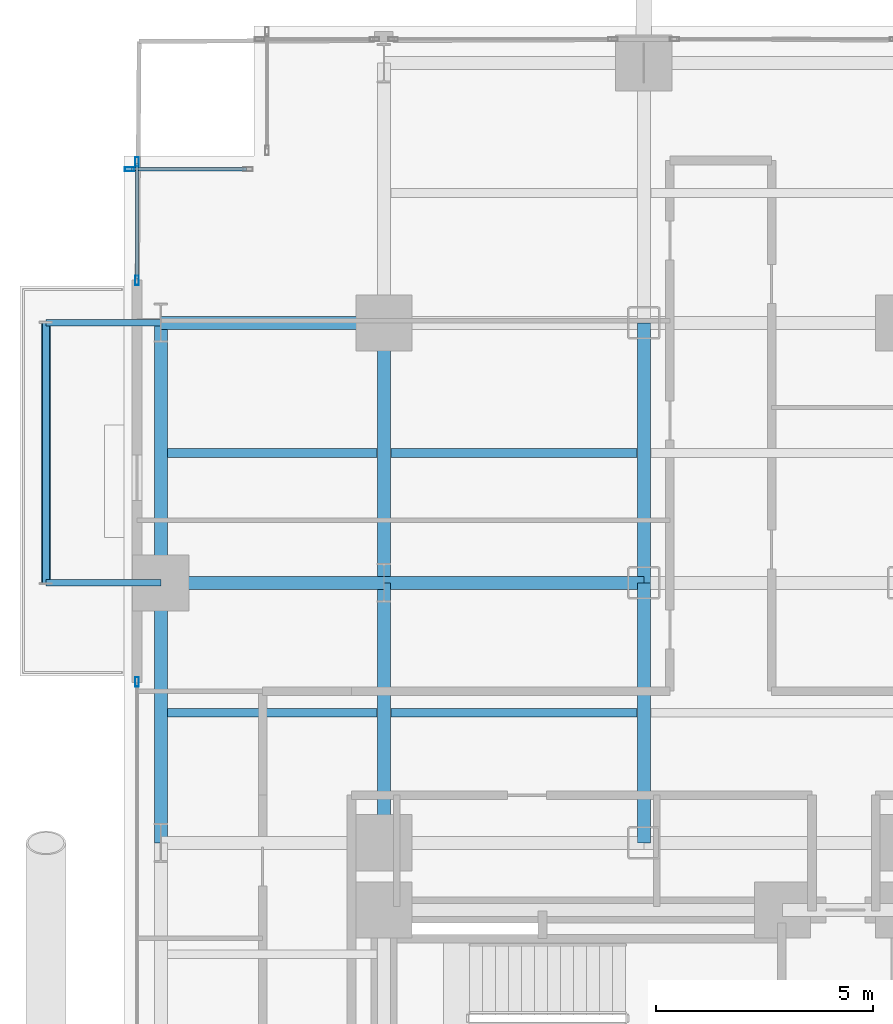
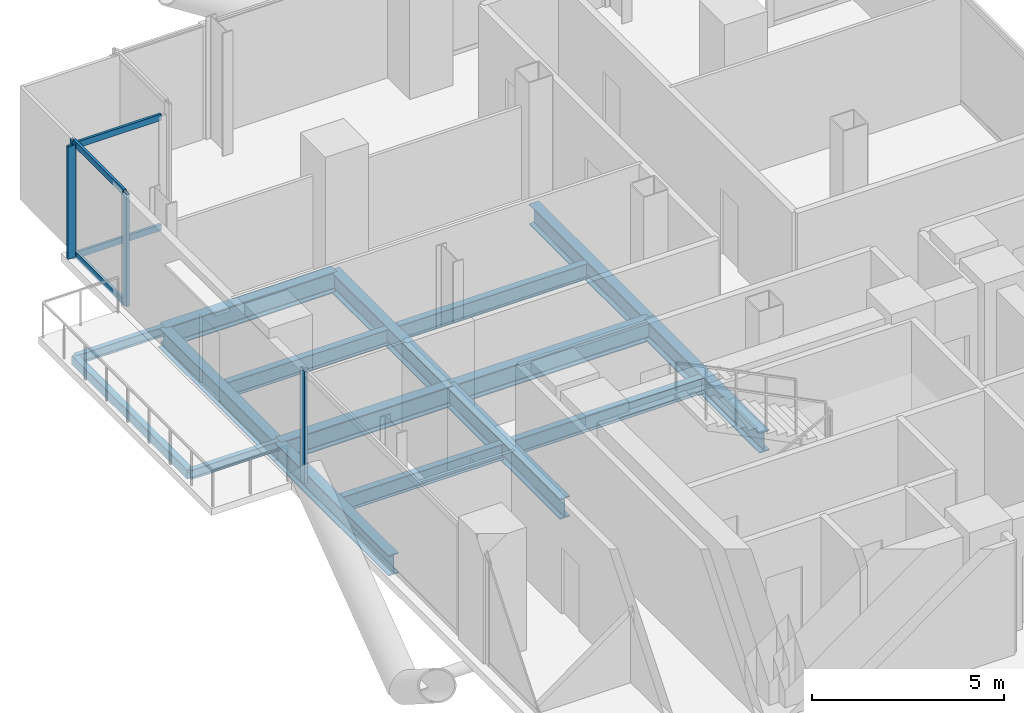
# One storey, part 13 of 27: 16 beams, 8 members, 3 elements without a shape of their own.
"""IFC4 building model written with IfcOpenShell, lengths in metres."""

import ifcopenshell
import ifcopenshell.guid

model = None  # the IFC model being written
_history = None  # IfcOwnerHistory: only IFC2X3 demands one
_inside = {}  # id of a spatial element -> (the spatial element, [elements in it])
_under = {}  # id of a project, library or spatial element -> (it, [spatial elements below it])
_declared = {}  # id of a project -> (the project, [libraries it declares])
_typed = {}  # id of a type object -> (the type object, [elements of that type])
_made_of = {}  # id of a material, layer set ... -> (it, [elements and type objects made of it])


def new_model(schema):
    """Start an empty IFC model of exactly this schema.

    Asked for "IFC4X3", IfcOpenShell would pick the latest addendum, in which some entities
    have other attributes; the version numbers below select the first issue.
    IFC2X3 requires an IfcOwnerHistory on every rooted entity: one is made here for all.
    """
    global model, _history
    if schema == "IFC4X3":
        model = ifcopenshell.file(schema_version=(4, 3, 0, 0))
    else:
        model = ifcopenshell.file(schema=schema)
    _inside.clear()
    _under.clear()
    _declared.clear()
    _typed.clear()
    _made_of.clear()
    _history = None
    if model.schema == "IFC2X3":
        org = make("IfcOrganization", Name="unknown")
        user = make(
            "IfcPersonAndOrganization",
            ThePerson=make("IfcPerson", FamilyName="unknown"),
            TheOrganization=org,
        )
        app = make(
            "IfcApplication",
            ApplicationDeveloper=org,
            Version="unknown",
            ApplicationFullName="unknown",
            ApplicationIdentifier="unknown",
        )
        _history = make(
            "IfcOwnerHistory",
            OwningUser=user,
            OwningApplication=app,
            ChangeAction="ADDED",
            CreationDate=0,
        )
    return model


def make(cls, **values):
    """One entity of the class cls with the attributes given. An attribute that is None is left unset."""
    return model.create_entity(
        cls, **{name: value for name, value in values.items() if value is not None}
    )


def rooted(cls, **values):
    """An entity with a GlobalId (a new one), such as an element, a storey or a relation."""
    return make(cls, GlobalId=ifcopenshell.guid.new(), OwnerHistory=_history, **values)


def si_unit(unit_type, name, prefix=None):
    """IfcSIUnit, for example si_unit("LENGTHUNIT", "METRE", prefix="MILLI")."""
    return make("IfcSIUnit", UnitType=unit_type, Prefix=prefix, Name=name)


def assignment(units):
    """IfcUnitAssignment: the units of a project."""
    return None if units is None else make("IfcUnitAssignment", Units=units)


def point(xyz):
    """IfcCartesianPoint."""
    return None if xyz is None else make("IfcCartesianPoint", Coordinates=xyz)


def direction(xyz):
    """IfcDirection."""
    return None if xyz is None else make("IfcDirection", DirectionRatios=xyz)


def frame(location, z_axis=None, x_axis=None):
    """IfcAxis2Placement3D, a coordinate frame: its origin and axes. An axis left out is left unset."""
    return make(
        "IfcAxis2Placement3D",
        Location=point(location),
        Axis=direction(z_axis),
        RefDirection=direction(x_axis),
    )


def frame_2d(location, x_axis=None):
    """IfcAxis2Placement2D, a coordinate frame in the plane: its origin and x axis."""
    return make(
        "IfcAxis2Placement2D", Location=point(location), RefDirection=direction(x_axis)
    )


def origin():
    """The frame at (0, 0, 0) with its axes left unset."""
    return frame((0.0, 0.0, 0.0))


def origin_2d():
    """The frame at (0, 0) in the plane with its x axis left unset."""
    return frame_2d((0.0, 0.0))


def place(relative_to, where):
    """IfcLocalPlacement: puts the frame where relative to a parent placement (None: the world)."""
    return make(
        "IfcLocalPlacement", PlacementRelTo=relative_to, RelativePlacement=where
    )


def context(
    kind, dimensions, precision=None, world=None, true_north=None, identifier=None
):
    """IfcGeometricRepresentationContext, for example the 3D "Model" context."""
    return make(
        "IfcGeometricRepresentationContext",
        ContextIdentifier=identifier,
        ContextType=kind,
        CoordinateSpaceDimension=dimensions,
        Precision=precision,
        WorldCoordinateSystem=world,
        TrueNorth=true_north,
    )


def subcontext(parent, identifier, kind, view, scale=None):
    """IfcGeometricRepresentationSubContext, for example "Body" below "Model"."""
    return make(
        "IfcGeometricRepresentationSubContext",
        ContextIdentifier=identifier,
        ContextType=kind,
        ParentContext=parent,
        TargetScale=scale,
        TargetView=view,
    )


def project(units=None, contexts=None):
    """IfcProject with its units and contexts."""
    return rooted(
        "IfcProject",
        Name="project",
        RepresentationContexts=contexts,
        UnitsInContext=assignment(units),
    )


def spatial(cls, under=None, at=None, **own):
    """A site, building, storey or space (cls), placed at a placement, below another one or the project."""
    s = rooted(cls, ObjectPlacement=at, **own)
    if under is not None:
        _under.setdefault(under.id(), (under, []))[1].append(s)
    return s


def profile(cls, at=None, kind="AREA", **sizes):
    """A parametric profile (cls). Its sizes go by their IFC names, for example OverallWidth=200.0."""
    return make(cls, ProfileType=kind, Position=at, **sizes)


def hollow_rectangle(**sizes):
    """IfcRectangleHollowProfileDef."""
    return profile("IfcRectangleHollowProfileDef", **sizes)


def i_section(**sizes):
    """IfcIShapeProfileDef."""
    return profile("IfcIShapeProfileDef", **sizes)


def extrude(swept, where, along, depth):
    """IfcExtrudedAreaSolid: the profile swept, set in the frame where, extruded along a direction by depth."""
    return make(
        "IfcExtrudedAreaSolid",
        SweptArea=swept,
        Position=where,
        ExtrudedDirection=direction(along),
        Depth=depth,
    )


def shape(context_of_items, identifier, shape_type, items):
    """IfcShapeRepresentation: the items that make up one representation, for example the "Body"."""
    return make(
        "IfcShapeRepresentation",
        ContextOfItems=context_of_items,
        RepresentationIdentifier=identifier,
        RepresentationType=shape_type,
        Items=items,
    )


def material(Name=None, Category=None):
    """IfcMaterial."""
    return make("IfcMaterial", Name=Name, Category=Category)


def layer(
    of_material, thickness, ventilated=None, Name=None, Category=None, Priority=None
):
    """IfcMaterialLayer: one layer of a wall or slab, of a material (None: an air gap)."""
    return make(
        "IfcMaterialLayer",
        Material=of_material,
        LayerThickness=thickness,
        IsVentilated=ventilated,
        Name=Name,
        Category=Category,
        Priority=Priority,
    )


def layer_set(layers, Name=None):
    """IfcMaterialLayerSet."""
    return make("IfcMaterialLayerSet", MaterialLayers=layers, LayerSetName=Name)


def material_profile(
    of_material, cross_section, Name=None, Category=None, Priority=None
):
    """IfcMaterialProfile: a cross section and its material."""
    return make(
        "IfcMaterialProfile",
        Name=Name,
        Material=of_material,
        Profile=cross_section,
        Priority=Priority,
        Category=Category,
    )


def profile_set(profiles, Name=None, composite=None):
    """IfcMaterialProfileSet."""
    return make(
        "IfcMaterialProfileSet",
        Name=Name,
        MaterialProfiles=profiles,
        CompositeProfile=composite,
    )


def made_of(thing, what):
    """Note that an element or type object is made of a material, layer set ...; save() writes the relation."""
    if what is not None:
        _made_of.setdefault(what.id(), (what, []))[1].append(thing)
    return thing


def type_object(cls, material=None, **own):
    """A type object (cls), such as IfcWallType, which elements share."""
    return made_of(rooted(cls, **own), material)


def element(
    cls,
    number,
    at=None,
    inside=None,
    cuts=None,
    type_object=None,
    material=None,
    context=None,
    identifier="Body",
    shape_type=None,
    held_by="IfcProductDefinitionShape",
    body=None,
    shapes=None,
    **own,
):
    """One element of the class cls, such as IfcWall. Its Tag is "e" and its number.

    at: its placement. inside: the storey or other place that contains it. cuts: it is an
    opening in that element (IfcRelVoidsElement). A single representation is given by context,
    identifier, shape_type and body (its items); several are given by shapes. held_by: the class
    of the entity that holds the representations. save() writes the other relations.
    """
    e = rooted(cls, Tag="e%d" % number, ObjectPlacement=at, **own)
    if body is not None:
        shapes = [shape(context, identifier, shape_type, body)]
    if shapes is not None:
        e.Representation = make(held_by, Representations=shapes)
    if inside is not None:
        _inside.setdefault(inside.id(), (inside, []))[1].append(e)
    if cuts is not None:
        rooted(
            "IfcRelVoidsElement", RelatingBuildingElement=cuts, RelatedOpeningElement=e
        )
    if type_object is not None:
        _typed.setdefault(type_object.id(), (type_object, []))[1].append(e)
    return made_of(e, material)


def aggregate(whole, parts):
    """IfcRelAggregates: a whole, such as a stair, and the parts it consists of."""
    return rooted("IfcRelAggregates", RelatingObject=whole, RelatedObjects=parts)


def save(model, path):
    """Write the relations noted so far, then the file.

    IfcRelAggregates (storeys below a building ...), IfcRelContainedInSpatialStructure (elements
    in a storey), IfcRelDefinesByType, IfcRelAssociatesMaterial and IfcRelDeclares: one each for
    every whole, place, type object, material and project.
    """
    for whole, parts in _under.values():
        aggregate(whole, parts)
    for where, things in _inside.values():
        rooted(
            "IfcRelContainedInSpatialStructure",
            RelatedElements=things,
            RelatingStructure=where,
        )
    for kind, things in _typed.values():
        rooted("IfcRelDefinesByType", RelatedObjects=things, RelatingType=kind)
    for what, things in _made_of.values():
        rooted("IfcRelAssociatesMaterial", RelatedObjects=things, RelatingMaterial=what)
    for by, libraries in _declared.values():
        rooted("IfcRelDeclares", RelatingContext=by, RelatedDefinitions=libraries)
    model.write(path)


model = new_model("IFC4")

# Units and contexts
model_context = context("Model", 3, precision=1e-05, world=origin(), true_north=direction((0.0, 1.0)))
body_context = subcontext(model_context, "Body", "Model", "MODEL_VIEW")
ifc_project = project(units=[si_unit("LENGTHUNIT", "METRE"), si_unit("AREAUNIT", "SQUARE_METRE"), si_unit("VOLUMEUNIT", "CUBIC_METRE"), si_unit("PLANEANGLEUNIT", "RADIAN"), si_unit("MASSUNIT", "GRAM", prefix="KILO"), si_unit("THERMODYNAMICTEMPERATUREUNIT", "KELVIN"), si_unit("POWERUNIT", "WATT")], contexts=[model_context])

# Site, building, storey
site_placement = place(None, origin())
site = spatial("IfcSite", under=ifc_project, at=site_placement, CompositionType="ELEMENT")
building_placement = place(site_placement, origin())
building = spatial("IfcBuilding", under=site, at=building_placement, Name="Svarakhadi Broadcast Tower", CompositionType="ELEMENT")
storey_placement = place(building_placement, frame((0.0, 0.0, 90.89990234375)))
storey = spatial("IfcBuildingStorey", under=building, at=storey_placement, Name="L21", CompositionType="ELEMENT", Elevation=90.89990234375)

# Beams
ifc_material_1 = material(Name="Steel S355J2 (IS 2062 E350C)", Category="steel")
ifc_material_profile_1 = material_profile(ifc_material_1, i_section(OverallWidth=0.199951171875, OverallDepth=0.5, WebThickness=0.01025390625, FlangeThickness=0.01611328125, FilletRadius=0.02099609375, at=origin_2d()), Name="NPB 500x200x91")
ifc_profile_set_1 = profile_set([ifc_material_profile_1], Name="Steel S355J2 (IS 2062 E350C)")
beam_type_1 = type_object("IfcBeamType", Name="Beam_NPB500", PredefinedType="BEAM", material=ifc_profile_set_1)
for number, where, z_axis, x_axis, name in (
    (1, (1.010009765625, 32.14990234375, -0.5), (1.0, 0.0, 0.0), (0.0, 1.0, 0.0), "L21 Secondary Composite Beam SB005"),
    (2, (1.010009765625, 38.14990234375, -0.5), (1.0, 0.0, 0.0), (0.0, 1.0, 0.0), "L21 Secondary Composite Beam SB006"),
):
    element("IfcBeam", number, at=place(storey_placement, frame(where, z_axis=z_axis, x_axis=x_axis)), inside=storey, type_object=beam_type_1, Name=name, PredefinedType="BEAM", context=body_context, shape_type="SweptSolid", body=[
        extrude(i_section(OverallWidth=0.199951171875, OverallDepth=0.5, WebThickness=0.01025390625, FlangeThickness=0.01611328125, FilletRadius=0.02099609375, at=origin_2d()), origin(), (0.0, 0.0, 1.0), 4.830078125),
    ])
for number, where, z_axis, x_axis, name in (
    (3, (6.159912109375, 32.14990234375, -0.5), (1.0, 0.0, 0.0), (0.0, 1.0, 0.0), "L21 Secondary Composite Beam SB010"),
    (4, (6.159912109375, 38.14990234375, -0.5), (1.0, 0.0, 0.0), (0.0, 1.0, 0.0), "L21 Secondary Composite Beam SB011"),
):
    element("IfcBeam", number, at=place(storey_placement, frame(where, z_axis=z_axis, x_axis=x_axis)), inside=storey, type_object=beam_type_1, Name=name, PredefinedType="BEAM", context=body_context, shape_type="SweptSolid", body=[
        extrude(i_section(OverallWidth=0.199951171875, OverallDepth=0.5, WebThickness=0.01025390625, FlangeThickness=0.01611328125, FilletRadius=0.02099609375, at=origin_2d()), origin(), (0.0, 0.0, 1.0), 5.68017578125),
    ])

# Curtain wall, member
ifc_material_2 = material(Name="Anodised Bronze Aluminium AA 6063-T6", Category="aluminium")
ifc_layer = layer(ifc_material_2, 0.219970703125)
ifc_layer_set = layer_set([ifc_layer], Name="Anodised Bronze Aluminium AA 6063-T6")
curtain_wall_type = type_object("IfcCurtainWallType", Name="CW_Sys_02", PredefinedType="NOTDEFINED", material=ifc_layer_set)
curtain_wall_1_placement = place(storey_placement, origin())
curtain_wall_1 = element("IfcCurtainWall", 5, at=curtain_wall_1_placement, inside=storey, type_object=curtain_wall_type, Name="L21 West Curtain Wall 02 Bay 3", PredefinedType="NOTDEFINED")
ifc_material_profile_2 = material_profile(ifc_material_2, hollow_rectangle(XDim=0.0849609375, YDim=0.219970703125, WallThickness=0.006103515625, at=origin_2d()), Name="ALU MULLION 220x85x6")
ifc_profile_set_2 = profile_set([ifc_material_profile_2], Name="Anodised Bronze Aluminium AA 6063-T6")
member_type_1 = type_object("IfcMemberType", Name="CW_Sys_02_Mul", PredefinedType="MULLION", material=ifc_profile_set_2)
member_1_placement = place(storey_placement, frame((0.300048828125, 32.867431640625, 0.0), z_axis=(0.0, 0.0, 1.0), x_axis=(-1.0, 0.0, 0.0)))
member_1 = element("IfcMember", 6, at=member_1_placement, type_object=member_type_1, Name="CW-02 mullion 2", PredefinedType="MULLION", context=body_context, shape_type="SweptSolid", body=[
    extrude(hollow_rectangle(XDim=0.0849609375, YDim=0.219970703125, WallThickness=0.006103515625, at=origin_2d()), origin(), (0.0, 0.0, 1.0), 3.5751953125),
])
aggregate(curtain_wall_1, [member_1])

# Curtain wall, members
curtain_wall_2_placement = place(storey_placement, origin())
curtain_wall_2 = element("IfcCurtainWall", 7, at=curtain_wall_2_placement, inside=storey, type_object=curtain_wall_type, Name="L21 West Curtain Wall 03", PredefinedType="NOTDEFINED")
member_2_placement = place(storey_placement, frame((0.300048828125, 42.132568359375, 0.0), z_axis=(0.0, 0.0, 1.0), x_axis=(-1.0, 0.0, 0.0)))
member_2 = element("IfcMember", 8, at=member_2_placement, type_object=member_type_1, Name="CW-02 mullion 1", PredefinedType="MULLION", context=body_context, shape_type="SweptSolid", body=[
    extrude(hollow_rectangle(XDim=0.0849609375, YDim=0.219970703125, WallThickness=0.006103515625, at=origin_2d()), origin(), (0.0, 0.0, 1.0), 3.5751953125),
])
member_3_placement = place(storey_placement, frame((0.300048828125, 44.867431640625, 0.0), z_axis=(0.0, 0.0, 1.0), x_axis=(-1.0, 0.0, 0.0)))
member_3 = element("IfcMember", 9, at=member_3_placement, type_object=member_type_1, Name="CW-02 mullion 2", PredefinedType="MULLION", context=body_context, shape_type="SweptSolid", body=[
    extrude(hollow_rectangle(XDim=0.0849609375, YDim=0.219970703125, WallThickness=0.006103515625, at=origin_2d()), origin(), (0.0, 0.0, 1.0), 3.5751953125),
])

# Curtain wall, member
curtain_wall_3_placement = place(storey_placement, origin())
curtain_wall_3 = element("IfcCurtainWall", 10, at=curtain_wall_3_placement, inside=storey, type_object=curtain_wall_type, Name="L21 Unitised Facade Curtain Wall 04", PredefinedType="NOTDEFINED")
member_4_placement = place(storey_placement, frame((0.132568359375, 44.699951171875, 0.0), z_axis=(0.0, 0.0, 1.0), x_axis=(0.0, 1.0, 0.0)))
member_4 = element("IfcMember", 11, at=member_4_placement, type_object=member_type_1, Name="CW-02 mullion 1", PredefinedType="MULLION", context=body_context, shape_type="SweptSolid", body=[
    extrude(hollow_rectangle(XDim=0.0849609375, YDim=0.219970703125, WallThickness=0.006103515625, at=origin_2d()), origin(), (0.0, 0.0, 1.0), 3.5751953125),
])

# Member
ifc_material_profile_3 = material_profile(ifc_material_2, hollow_rectangle(XDim=0.074951171875, YDim=0.199951171875, WallThickness=0.0048828125, at=origin_2d()), Name="ALU TRANSOM 200x75x5")
ifc_profile_set_3 = profile_set([ifc_material_profile_3], Name="Anodised Bronze Aluminium AA 6063-T6")
member_type_2 = type_object("IfcMemberType", Name="CW_Sys_02_Trn", PredefinedType="USERDEFINED", material=ifc_profile_set_3)
member_5_placement = place(storey_placement, frame((0.300048828125, 42.175048828125, 0.03759765625), z_axis=(0.0, 1.0, 0.0), x_axis=(-1.0, 0.0, 0.0)))
member_5 = element("IfcMember", 12, at=member_5_placement, type_object=member_type_2, Name="CW-02 transom 1.1", ObjectType="TRANSOM", PredefinedType="USERDEFINED", context=body_context, shape_type="SweptSolid", body=[
    extrude(hollow_rectangle(XDim=0.074951171875, YDim=0.199951171875, WallThickness=0.0048828125, at=origin_2d()), origin(), (0.0, 0.0, 1.0), 2.64990234375),
])

member_6_placement = place(storey_placement, frame((0.300048828125, 42.175048828125, 3.53759765625), z_axis=(0.0, 1.0, 0.0), x_axis=(-1.0, 0.0, 0.0)))
member_6 = element("IfcMember", 13, at=member_6_placement, type_object=member_type_2, Name="CW-02 transom 1.2", ObjectType="TRANSOM", PredefinedType="USERDEFINED", context=body_context, shape_type="SweptSolid", body=[
    extrude(hollow_rectangle(XDim=0.074951171875, YDim=0.199951171875, WallThickness=0.0048828125, at=origin_2d()), origin(), (0.0, 0.0, 1.0), 2.64990234375),
])

aggregate(curtain_wall_2, [member_2, member_3, member_5, member_6])

member_7_placement = place(storey_placement, frame((0.175048828125, 44.699951171875, 0.03759765625), z_axis=(1.0, 0.0, 0.0), x_axis=(0.0, 1.0, 0.0)))
member_7 = element("IfcMember", 14, at=member_7_placement, type_object=member_type_2, Name="CW-02 transom 1.1", ObjectType="TRANSOM", PredefinedType="USERDEFINED", context=body_context, shape_type="SweptSolid", body=[
    extrude(hollow_rectangle(XDim=0.074951171875, YDim=0.199951171875, WallThickness=0.0048828125, at=origin_2d()), origin(), (0.0, 0.0, 1.0), 2.64990234375),
])

member_8_placement = place(storey_placement, frame((0.175048828125, 44.699951171875, 3.53759765625), z_axis=(1.0, 0.0, 0.0), x_axis=(0.0, 1.0, 0.0)))
member_8 = element("IfcMember", 15, at=member_8_placement, type_object=member_type_2, Name="CW-02 transom 1.2", ObjectType="TRANSOM", PredefinedType="USERDEFINED", context=body_context, shape_type="SweptSolid", body=[
    extrude(hollow_rectangle(XDim=0.074951171875, YDim=0.199951171875, WallThickness=0.0048828125, at=origin_2d()), origin(), (0.0, 0.0, 1.0), 2.64990234375),
])

aggregate(curtain_wall_3, [member_4, member_7, member_8])

# Beams
ifc_material_profile_4 = material_profile(ifc_material_1, i_section(OverallWidth=0.300048828125, OverallDepth=0.64990234375, WebThickness=0.01611328125, FlangeThickness=0.031005859375, FilletRadius=0.027099609375, at=origin_2d()), Name="WPB 650x300x225")
ifc_profile_set_4 = profile_set([ifc_material_profile_4], Name="Steel S355J2 (IS 2062 E350C)")
beam_type_2 = type_object("IfcBeamType", Name="Girder_WPB650", PredefinedType="USERDEFINED", material=ifc_profile_set_4)
beam_1_placement = place(storey_placement, frame((0.85009765625, 35.14990234375, -0.574951171875), z_axis=(1.0, 0.0, 0.0), x_axis=(0.0, 1.0, 0.0)))
element("IfcBeam", 16, at=beam_1_placement, inside=storey, type_object=beam_type_2, Name="L21 Primary E-W Girder G037", ObjectType="GIRDER", PredefinedType="USERDEFINED", context=body_context, shape_type="SweptSolid", body=[
    extrude(i_section(OverallWidth=0.300048828125, OverallDepth=0.64990234375, WebThickness=0.01611328125, FlangeThickness=0.031005859375, FilletRadius=0.027099609375, at=origin_2d()), origin(), (0.0, 0.0, 1.0), 5.14990234375),
])
beam_2_placement = place(storey_placement, frame((6.0, 35.14990234375, -0.574951171875), z_axis=(1.0, 0.0, 0.0), x_axis=(0.0, 1.0, 0.0)))
element("IfcBeam", 17, at=beam_2_placement, inside=storey, type_object=beam_type_2, Name="L21 Primary E-W Girder G038", ObjectType="GIRDER", PredefinedType="USERDEFINED", context=body_context, shape_type="SweptSolid", body=[
    extrude(i_section(OverallWidth=0.300048828125, OverallDepth=0.64990234375, WebThickness=0.01611328125, FlangeThickness=0.031005859375, FilletRadius=0.027099609375, at=origin_2d()), origin(), (0.0, 0.0, 1.0), 6.0),
])
beam_3_placement = place(storey_placement, frame((0.85009765625, 41.14990234375, -0.574951171875), z_axis=(1.0, 0.0, 0.0), x_axis=(0.0, 1.0, 0.0)))
element("IfcBeam", 18, at=beam_3_placement, inside=storey, type_object=beam_type_2, Name="L21 Primary E-W Girder G040", ObjectType="GIRDER", PredefinedType="USERDEFINED", context=body_context, shape_type="SweptSolid", body=[
    extrude(i_section(OverallWidth=0.300048828125, OverallDepth=0.64990234375, WebThickness=0.01611328125, FlangeThickness=0.031005859375, FilletRadius=0.027099609375, at=origin_2d()), origin(), (0.0, 0.0, 1.0), 5.14990234375),
])
for number, where, z_axis, x_axis, name in (
    (19, (0.85009765625, 29.14990234375, -0.574951171875), (0.0, 1.0, 0.0), (-1.0, 0.0, 0.0), "L21 Primary N-S Girder G049"),
    (20, (0.85009765625, 35.14990234375, -0.574951171875), (0.0, 1.0, 0.0), (-1.0, 0.0, 0.0), "L21 Primary N-S Girder G050"),
    (21, (6.0, 29.14990234375, -0.574951171875), (0.0, 1.0, 0.0), (-1.0, 0.0, 0.0), "L21 Primary N-S Girder G055"),
    (22, (6.0, 35.14990234375, -0.574951171875), (0.0, 1.0, 0.0), (-1.0, 0.0, 0.0), "L21 Primary N-S Girder G056"),
    (23, (12.0, 29.14990234375, -0.574951171875), (0.0, 1.0, 0.0), (-1.0, 0.0, 0.0), "L21 Primary N-S Girder G061"),
    (24, (12.0, 35.14990234375, -0.574951171875), (0.0, 1.0, 0.0), (-1.0, 0.0, 0.0), "L21 Primary N-S Girder G062"),
):
    element("IfcBeam", number, at=place(storey_placement, frame(where, z_axis=z_axis, x_axis=x_axis)), inside=storey, type_object=beam_type_2, Name=name, ObjectType="GIRDER", PredefinedType="USERDEFINED", context=body_context, shape_type="SweptSolid", body=[
        extrude(i_section(OverallWidth=0.300048828125, OverallDepth=0.64990234375, WebThickness=0.01611328125, FlangeThickness=0.031005859375, FilletRadius=0.027099609375, at=origin_2d()), origin(), (0.0, 0.0, 1.0), 6.0),
    ])
ifc_material_profile_5 = material_profile(ifc_material_1, i_section(OverallWidth=0.14990234375, OverallDepth=0.300048828125, WebThickness=0.007080078125, FlangeThickness=0.0107421875, FilletRadius=0.014892578125, at=origin_2d()), Name="NPB 300x150x37")
ifc_profile_set_5 = profile_set([ifc_material_profile_5], Name="Steel S355J2 (IS 2062 E350C)")
beam_type_3 = type_object("IfcBeamType", Name="Spandrel_NPB300", PredefinedType="SPANDREL", material=ifc_profile_set_5)
for number, where, z_axis, x_axis, name in (
    (25, (0.85009765625, 35.14990234375, -0.39990234375), (-1.0, 0.0, 0.0), (0.0, -1.0, 0.0), "L21 Balcony Cantilever Bracket 2A"),
    (26, (0.85009765625, 41.14990234375, -0.39990234375), (-1.0, 0.0, 0.0), (0.0, -1.0, 0.0), "L21 Balcony Cantilever Bracket 2B"),
):
    element("IfcBeam", number, at=place(storey_placement, frame(where, z_axis=z_axis, x_axis=x_axis)), inside=storey, type_object=beam_type_3, Name=name, PredefinedType="SPANDREL", context=body_context, shape_type="SweptSolid", body=[
        extrude(i_section(OverallWidth=0.14990234375, OverallDepth=0.300048828125, WebThickness=0.007080078125, FlangeThickness=0.0107421875, FilletRadius=0.014892578125, at=origin_2d()), origin(), (0.0, 0.0, 1.0), 2.650146484375),
    ])
ifc_material_3 = material(Name="Steel S460ML (IS 2062 E450BR)", Category="steel")
ifc_material_profile_6 = material_profile(ifc_material_3, hollow_rectangle(XDim=0.199951171875, YDim=0.300048828125, WallThickness=0.012451171875, InnerFilletRadius=0.012451171875, OuterFilletRadius=0.02490234375, at=origin_2d()), Name="RHS 300x200x12.5")
ifc_profile_set_6 = profile_set([ifc_material_profile_6], Name="Steel S460ML (IS 2062 E450BR)")
beam_type_4 = type_object("IfcBeamType", Name="Spandrel_RHS300", PredefinedType="SPANDREL", material=ifc_profile_set_6)
beam_4_placement = place(storey_placement, frame((-1.800048828125, 35.14990234375, -0.39990234375), z_axis=(0.0, 1.0, 0.0), x_axis=(-1.0, 0.0, 0.0)))
element("IfcBeam", 27, at=beam_4_placement, inside=storey, type_object=beam_type_4, Name="L21 Balcony Outer Spandrel 2F", PredefinedType="SPANDREL", context=body_context, shape_type="SweptSolid", body=[
    extrude(hollow_rectangle(XDim=0.199951171875, YDim=0.300048828125, WallThickness=0.012451171875, InnerFilletRadius=0.012451171875, OuterFilletRadius=0.02490234375, at=origin_2d()), origin(), (0.0, 0.0, 1.0), 6.0),
])

save(model, "model.ifc")
